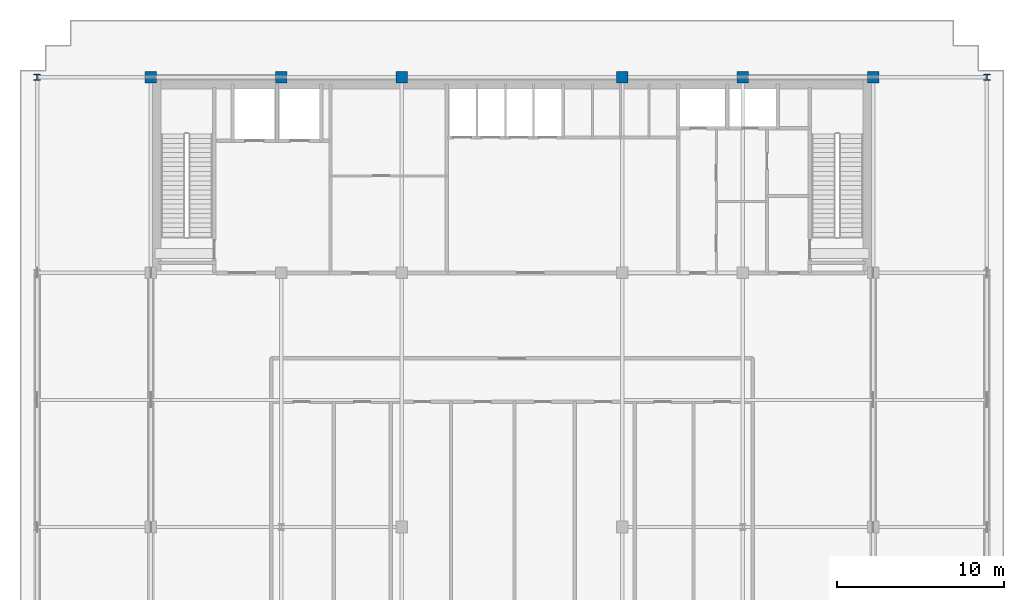
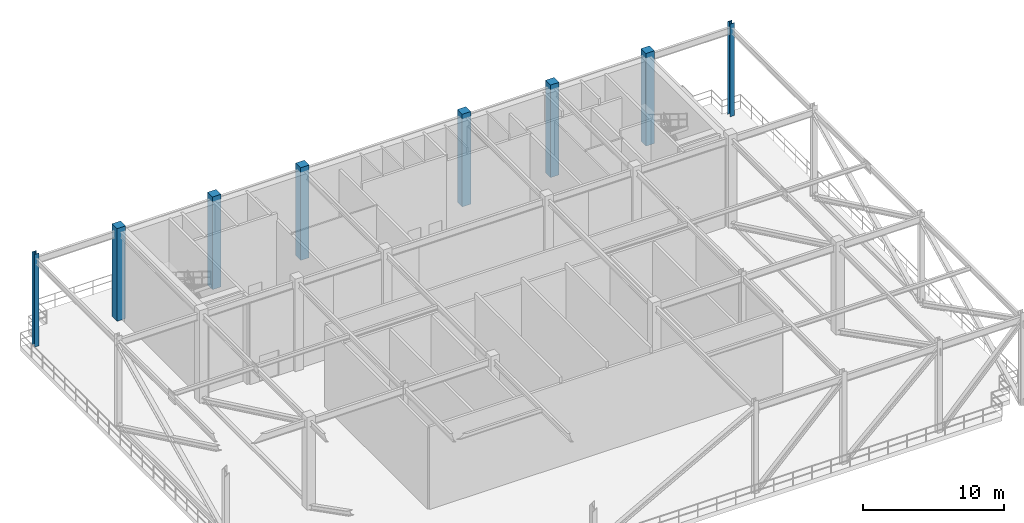
# One storey, part 3 of 14: 8 columns.
"""IFC4 building model written with IfcOpenShell, lengths in metres."""

import ifcopenshell
import ifcopenshell.guid

model = None  # the IFC model being written
_history = None  # IfcOwnerHistory: only IFC2X3 demands one
_inside = {}  # id of a spatial element -> (the spatial element, [elements in it])
_under = {}  # id of a project, library or spatial element -> (it, [spatial elements below it])
_declared = {}  # id of a project -> (the project, [libraries it declares])
_typed = {}  # id of a type object -> (the type object, [elements of that type])
_made_of = {}  # id of a material, layer set ... -> (it, [elements and type objects made of it])


def new_model(schema):
    """Start an empty IFC model of exactly this schema.

    Asked for "IFC4X3", IfcOpenShell would pick the latest addendum, in which some entities
    have other attributes; the version numbers below select the first issue.
    IFC2X3 requires an IfcOwnerHistory on every rooted entity: one is made here for all.
    """
    global model, _history
    if schema == "IFC4X3":
        model = ifcopenshell.file(schema_version=(4, 3, 0, 0))
    else:
        model = ifcopenshell.file(schema=schema)
    _inside.clear()
    _under.clear()
    _declared.clear()
    _typed.clear()
    _made_of.clear()
    _history = None
    if model.schema == "IFC2X3":
        org = make("IfcOrganization", Name="unknown")
        user = make(
            "IfcPersonAndOrganization",
            ThePerson=make("IfcPerson", FamilyName="unknown"),
            TheOrganization=org,
        )
        app = make(
            "IfcApplication",
            ApplicationDeveloper=org,
            Version="unknown",
            ApplicationFullName="unknown",
            ApplicationIdentifier="unknown",
        )
        _history = make(
            "IfcOwnerHistory",
            OwningUser=user,
            OwningApplication=app,
            ChangeAction="ADDED",
            CreationDate=0,
        )
    return model


def make(cls, **values):
    """One entity of the class cls with the attributes given. An attribute that is None is left unset."""
    return model.create_entity(
        cls, **{name: value for name, value in values.items() if value is not None}
    )


def rooted(cls, **values):
    """An entity with a GlobalId (a new one), such as an element, a storey or a relation."""
    return make(cls, GlobalId=ifcopenshell.guid.new(), OwnerHistory=_history, **values)


def si_unit(unit_type, name, prefix=None):
    """IfcSIUnit, for example si_unit("LENGTHUNIT", "METRE", prefix="MILLI")."""
    return make("IfcSIUnit", UnitType=unit_type, Prefix=prefix, Name=name)


def assignment(units):
    """IfcUnitAssignment: the units of a project."""
    return None if units is None else make("IfcUnitAssignment", Units=units)


def point(xyz):
    """IfcCartesianPoint."""
    return None if xyz is None else make("IfcCartesianPoint", Coordinates=xyz)


def direction(xyz):
    """IfcDirection."""
    return None if xyz is None else make("IfcDirection", DirectionRatios=xyz)


def frame(location, z_axis=None, x_axis=None):
    """IfcAxis2Placement3D, a coordinate frame: its origin and axes. An axis left out is left unset."""
    return make(
        "IfcAxis2Placement3D",
        Location=point(location),
        Axis=direction(z_axis),
        RefDirection=direction(x_axis),
    )


def frame_2d(location, x_axis=None):
    """IfcAxis2Placement2D, a coordinate frame in the plane: its origin and x axis."""
    return make(
        "IfcAxis2Placement2D", Location=point(location), RefDirection=direction(x_axis)
    )


def origin():
    """The frame at (0, 0, 0) with its axes left unset."""
    return frame((0.0, 0.0, 0.0))


def origin_2d():
    """The frame at (0, 0) in the plane with its x axis left unset."""
    return frame_2d((0.0, 0.0))


def place(relative_to, where):
    """IfcLocalPlacement: puts the frame where relative to a parent placement (None: the world)."""
    return make(
        "IfcLocalPlacement", PlacementRelTo=relative_to, RelativePlacement=where
    )


def context(
    kind, dimensions, precision=None, world=None, true_north=None, identifier=None
):
    """IfcGeometricRepresentationContext, for example the 3D "Model" context."""
    return make(
        "IfcGeometricRepresentationContext",
        ContextIdentifier=identifier,
        ContextType=kind,
        CoordinateSpaceDimension=dimensions,
        Precision=precision,
        WorldCoordinateSystem=world,
        TrueNorth=true_north,
    )


def subcontext(parent, identifier, kind, view, scale=None):
    """IfcGeometricRepresentationSubContext, for example "Body" below "Model"."""
    return make(
        "IfcGeometricRepresentationSubContext",
        ContextIdentifier=identifier,
        ContextType=kind,
        ParentContext=parent,
        TargetScale=scale,
        TargetView=view,
    )


def project(units=None, contexts=None):
    """IfcProject with its units and contexts."""
    return rooted(
        "IfcProject",
        Name="project",
        RepresentationContexts=contexts,
        UnitsInContext=assignment(units),
    )


def spatial(cls, under=None, at=None, **own):
    """A site, building, storey or space (cls), placed at a placement, below another one or the project."""
    s = rooted(cls, ObjectPlacement=at, **own)
    if under is not None:
        _under.setdefault(under.id(), (under, []))[1].append(s)
    return s


def profile(cls, at=None, kind="AREA", **sizes):
    """A parametric profile (cls). Its sizes go by their IFC names, for example OverallWidth=200.0."""
    return make(cls, ProfileType=kind, Position=at, **sizes)


def rectangle(**sizes):
    """IfcRectangleProfileDef."""
    return profile("IfcRectangleProfileDef", **sizes)


def i_section(**sizes):
    """IfcIShapeProfileDef."""
    return profile("IfcIShapeProfileDef", **sizes)


def extrude(swept, where, along, depth):
    """IfcExtrudedAreaSolid: the profile swept, set in the frame where, extruded along a direction by depth."""
    return make(
        "IfcExtrudedAreaSolid",
        SweptArea=swept,
        Position=where,
        ExtrudedDirection=direction(along),
        Depth=depth,
    )


def shape(context_of_items, identifier, shape_type, items):
    """IfcShapeRepresentation: the items that make up one representation, for example the "Body"."""
    return make(
        "IfcShapeRepresentation",
        ContextOfItems=context_of_items,
        RepresentationIdentifier=identifier,
        RepresentationType=shape_type,
        Items=items,
    )


def source(mapping_origin, context_of_items, identifier, shape_type, items):
    """IfcRepresentationMap: a shape defined once, which mapped items show again and again."""
    return make(
        "IfcRepresentationMap",
        MappingOrigin=mapping_origin,
        MappedRepresentation=shape(context_of_items, identifier, shape_type, items),
    )


def transform(
    local_origin,
    x_axis=None,
    y_axis=None,
    z_axis=None,
    scale=None,
    scale2=None,
    scale3=None,
    uniform=True,
):
    """IfcCartesianTransformationOperator3D, or its non-uniform kind. x_axis, y_axis, z_axis: its Axis1, 2, 3."""
    if uniform:
        return make(
            "IfcCartesianTransformationOperator3D",
            Axis1=direction(x_axis),
            Axis2=direction(y_axis),
            LocalOrigin=point(local_origin),
            Scale=scale,
            Axis3=direction(z_axis),
        )
    return make(
        "IfcCartesianTransformationOperator3DnonUniform",
        Axis1=direction(x_axis),
        Axis2=direction(y_axis),
        LocalOrigin=point(local_origin),
        Scale=scale,
        Axis3=direction(z_axis),
        Scale2=scale2,
        Scale3=scale3,
    )


def mapped(mapping_source, mapping_target):
    """IfcMappedItem: shows the shape of a source again, moved by a transform."""
    return make(
        "IfcMappedItem", MappingSource=mapping_source, MappingTarget=mapping_target
    )


def material(Name=None, Category=None):
    """IfcMaterial."""
    return make("IfcMaterial", Name=Name, Category=Category)


def material_profile(
    of_material, cross_section, Name=None, Category=None, Priority=None
):
    """IfcMaterialProfile: a cross section and its material."""
    return make(
        "IfcMaterialProfile",
        Name=Name,
        Material=of_material,
        Profile=cross_section,
        Priority=Priority,
        Category=Category,
    )


def profile_set(profiles, Name=None, composite=None):
    """IfcMaterialProfileSet."""
    return make(
        "IfcMaterialProfileSet",
        Name=Name,
        MaterialProfiles=profiles,
        CompositeProfile=composite,
    )


def made_of(thing, what):
    """Note that an element or type object is made of a material, layer set ...; save() writes the relation."""
    if what is not None:
        _made_of.setdefault(what.id(), (what, []))[1].append(thing)
    return thing


def type_object(cls, material=None, **own):
    """A type object (cls), such as IfcWallType, which elements share."""
    return made_of(rooted(cls, **own), material)


def element(
    cls,
    number,
    at=None,
    inside=None,
    cuts=None,
    type_object=None,
    material=None,
    context=None,
    identifier="Body",
    shape_type=None,
    held_by="IfcProductDefinitionShape",
    body=None,
    shapes=None,
    **own,
):
    """One element of the class cls, such as IfcWall. Its Tag is "e" and its number.

    at: its placement. inside: the storey or other place that contains it. cuts: it is an
    opening in that element (IfcRelVoidsElement). A single representation is given by context,
    identifier, shape_type and body (its items); several are given by shapes. held_by: the class
    of the entity that holds the representations. save() writes the other relations.
    """
    e = rooted(cls, Tag="e%d" % number, ObjectPlacement=at, **own)
    if body is not None:
        shapes = [shape(context, identifier, shape_type, body)]
    if shapes is not None:
        e.Representation = make(held_by, Representations=shapes)
    if inside is not None:
        _inside.setdefault(inside.id(), (inside, []))[1].append(e)
    if cuts is not None:
        rooted(
            "IfcRelVoidsElement", RelatingBuildingElement=cuts, RelatedOpeningElement=e
        )
    if type_object is not None:
        _typed.setdefault(type_object.id(), (type_object, []))[1].append(e)
    return made_of(e, material)


def aggregate(whole, parts):
    """IfcRelAggregates: a whole, such as a stair, and the parts it consists of."""
    return rooted("IfcRelAggregates", RelatingObject=whole, RelatedObjects=parts)


def save(model, path):
    """Write the relations noted so far, then the file.

    IfcRelAggregates (storeys below a building ...), IfcRelContainedInSpatialStructure (elements
    in a storey), IfcRelDefinesByType, IfcRelAssociatesMaterial and IfcRelDeclares: one each for
    every whole, place, type object, material and project.
    """
    for whole, parts in _under.values():
        aggregate(whole, parts)
    for where, things in _inside.values():
        rooted(
            "IfcRelContainedInSpatialStructure",
            RelatedElements=things,
            RelatingStructure=where,
        )
    for kind, things in _typed.values():
        rooted("IfcRelDefinesByType", RelatedObjects=things, RelatingType=kind)
    for what, things in _made_of.values():
        rooted("IfcRelAssociatesMaterial", RelatedObjects=things, RelatingMaterial=what)
    for by, libraries in _declared.values():
        rooted("IfcRelDeclares", RelatingContext=by, RelatedDefinitions=libraries)
    model.write(path)


model = new_model("IFC4")

# Units and contexts
model_context = context("Model", 3, precision=1e-05, world=origin(), true_north=direction((0.0, 1.0)))
body_context = subcontext(model_context, "Body", "Model", "MODEL_VIEW")
ifc_project = project(units=[si_unit("LENGTHUNIT", "METRE"), si_unit("AREAUNIT", "SQUARE_METRE"), si_unit("VOLUMEUNIT", "CUBIC_METRE"), si_unit("PLANEANGLEUNIT", "RADIAN"), si_unit("MASSUNIT", "GRAM", prefix="KILO")], contexts=[model_context])

# Site, building, storey
site_placement = place(None, origin())
site = spatial("IfcSite", under=ifc_project, at=site_placement, CompositionType="ELEMENT")
building_placement = place(site_placement, origin())
building = spatial("IfcBuilding", under=site, at=building_placement, Name="Trelvane Seafront Commons", CompositionType="ELEMENT")
storey_placement = place(building_placement, frame((0.0, 0.0, 182.5)))
storey = spatial("IfcBuildingStorey", under=building, at=storey_placement, Name="L48", CompositionType="ELEMENT", Elevation=182.5)

# Columns
ifc_material_1 = material(Name="Steel SM355 (S355)", Category="steel")
ifc_material_profile_1 = material_profile(ifc_material_1, i_section(OverallWidth=0.3798828125, OverallDepth=0.3798828125, WebThickness=0.02001953125, FlangeThickness=0.030029296875, at=origin_2d()), Name="HD-380x380x20x30")
ifc_profile_set_1 = profile_set([ifc_material_profile_1], Name="Steel SM355 (S355)")
column_type_1 = type_object("IfcColumnType", Name="STR-COL-HD380", PredefinedType="COLUMN", material=ifc_profile_set_1)
shared_shape_1 = source(origin(), body_context, "Body", "SweptSolid", [
    extrude(i_section(OverallWidth=0.3798828125, OverallDepth=0.3798828125, WebThickness=0.02001953125, FlangeThickness=0.030029296875, at=origin_2d()), origin(), (0.0, 0.0, 1.0), 8.0),
])
for number, where, z_axis, x_axis, name in (
    (1, (8.800048828125, 45.10009765625, 0.0), (0.0, 0.0, 1.0), (1.0, 0.0, 0.0), "L48 Column TC-CN8.8"),
    (2, (65.60009765625, 45.10009765625, 0.0), (0.0, 0.0, 1.0), (1.0, 0.0, 0.0), "L48 Column TC-CN65.6"),
):
    element("IfcColumn", number, at=place(storey_placement, frame(where, z_axis=z_axis, x_axis=x_axis)), inside=storey, type_object=column_type_1, Name=name, PredefinedType="COLUMN", context=body_context, shape_type="MappedRepresentation", body=[
        mapped(shared_shape_1, transform((0.0, 0.0, 0.0), x_axis=(1.0, 0.0, 0.0), y_axis=(0.0, 1.0, 0.0), z_axis=(0.0, 0.0, 1.0), scale=1.0)),
    ])
ifc_material_2 = material(Name="Concrete C50/60", Category="concrete")
ifc_material_profile_2 = material_profile(ifc_material_2, rectangle(XDim=0.699951171875, YDim=0.699951171875, at=origin_2d()), Name="RC-700x700")
ifc_profile_set_2 = profile_set([ifc_material_profile_2], Name="Concrete C50/60")
column_type_2 = type_object("IfcColumnType", Name="STR-COL-RC700", PredefinedType="COLUMN", material=ifc_profile_set_2)
shared_shape_2 = source(origin(), body_context, "Body", "SweptSolid", [
    extrude(rectangle(XDim=0.699951171875, YDim=0.699951171875, at=origin_2d()), origin(), (0.0, 0.0, 1.0), 8.0),
])
for number, where, z_axis, x_axis, name in (
    (3, (15.60009765625, 45.10009765625, 0.0), (0.0, 0.0, 1.0), (1.0, 0.0, 0.0), "L48 Column TC-CN15.6"),
    (4, (23.39990234375, 45.10009765625, 0.0), (0.0, 0.0, 1.0), (1.0, 0.0, 0.0), "L48 Column TC-CN23.4"),
    (5, (30.60009765625, 45.10009765625, 0.0), (0.0, 0.0, 1.0), (1.0, 0.0, 0.0), "L48 Column TC-CN30.6"),
    (6, (43.800048828125, 45.10009765625, 0.0), (0.0, 0.0, 1.0), (1.0, 0.0, 0.0), "L48 Column TC-CN43.8"),
    (7, (51.0, 45.10009765625, 0.0), (0.0, 0.0, 1.0), (1.0, 0.0, 0.0), "L48 Column TC-CN51.0"),
    (8, (58.800048828125, 45.10009765625, 0.0), (0.0, 0.0, 1.0), (1.0, 0.0, 0.0), "L48 Column TC-CN58.8"),
):
    element("IfcColumn", number, at=place(storey_placement, frame(where, z_axis=z_axis, x_axis=x_axis)), inside=storey, type_object=column_type_2, Name=name, PredefinedType="COLUMN", context=body_context, shape_type="MappedRepresentation", body=[
        mapped(shared_shape_2, transform((0.0, 0.0, 0.0), x_axis=(1.0, 0.0, 0.0), y_axis=(0.0, 1.0, 0.0), z_axis=(0.0, 0.0, 1.0), scale=1.0)),
    ])

save(model, "model.ifc")
